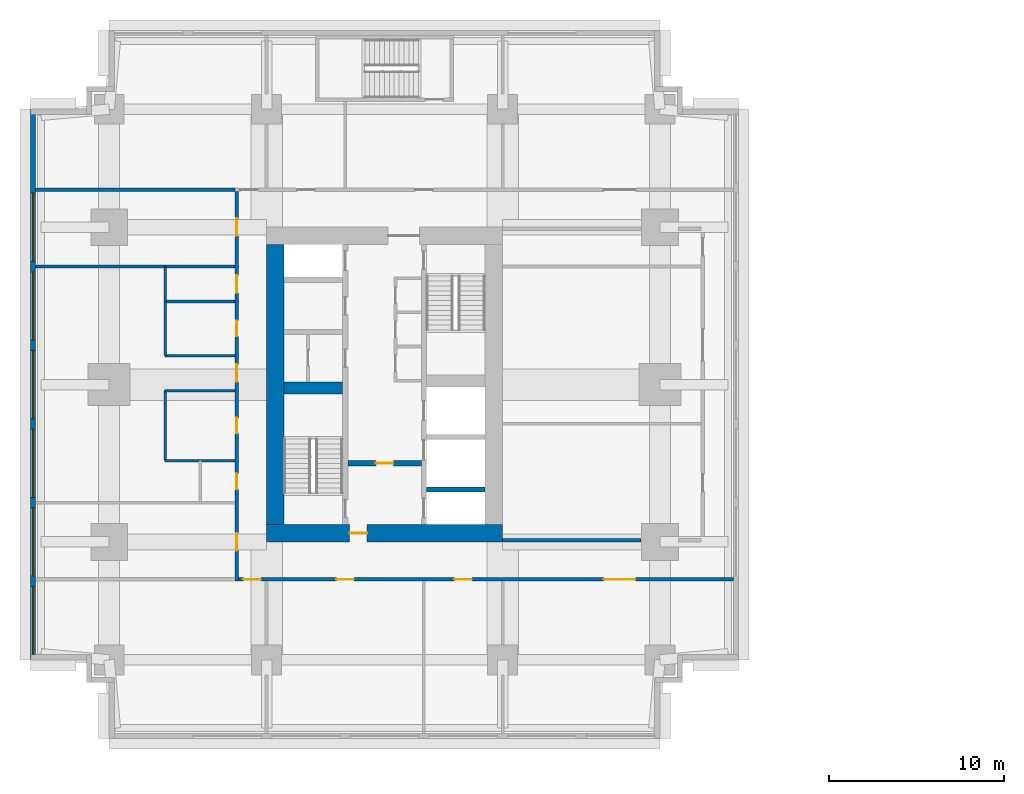
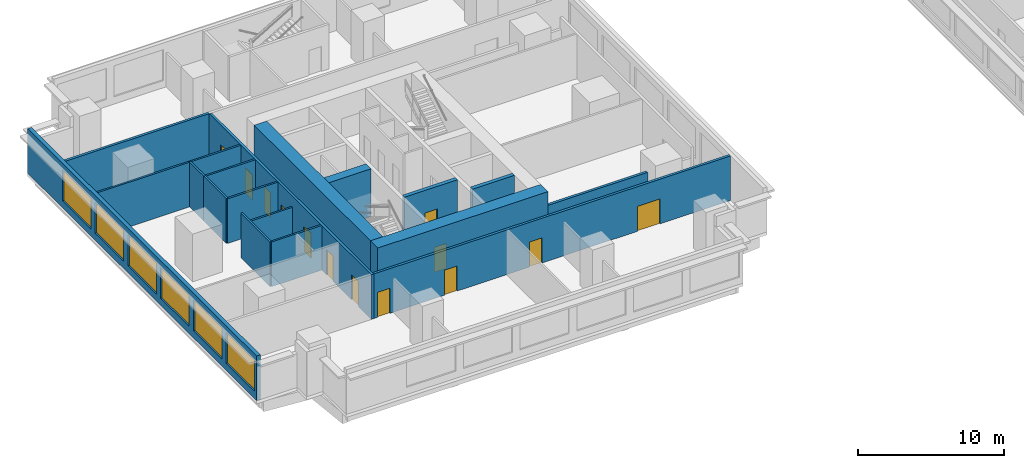
# One storey, part 3 of 10: 18 walls, 13 doors, 6 windows, 19 openings.
"""IFC4 building model written with IfcOpenShell, lengths in metres."""

from ifc_helpers import new_model, si_unit, direction, frame, frame_2d, origin, place, context, subcontext, project, spatial, rectangle, extrude, material, layer, layer_set, type_object, element, fill, save


model = new_model("IFC4")

# Units and contexts
model_context = context("Model", 3, precision=1e-05, world=origin(), true_north=direction((0.0, 1.0)))
body_context = subcontext(model_context, "Body", "Model", "MODEL_VIEW")
ifc_project = project(units=[si_unit("LENGTHUNIT", "METRE"), si_unit("AREAUNIT", "SQUARE_METRE"), si_unit("VOLUMEUNIT", "CUBIC_METRE"), si_unit("PLANEANGLEUNIT", "RADIAN"), si_unit("MASSUNIT", "GRAM", prefix="KILO")], contexts=[model_context])

# Site, building, storey
site_placement = place(None, origin())
site = spatial("IfcSite", under=ifc_project, at=site_placement, CompositionType="ELEMENT")
building_placement = place(site_placement, origin())
building = spatial("IfcBuilding", under=site, at=building_placement, Name="Namib Vertical Campus", CompositionType="ELEMENT")
storey_placement = place(building_placement, frame((0.0, 0.0, 141.0)))
storey = spatial("IfcBuildingStorey", under=building, at=storey_placement, Name="L33", CompositionType="ELEMENT", Elevation=141.0)

# Wall, opening, door
ifc_material_1 = material(Name="Concrete C60/75", Category="concrete")
ifc_layer_1 = layer(ifc_material_1, 0.300048828125)
ifc_layer_set_1 = layer_set([ifc_layer_1], Name="Concrete C60/75")
wall_type_1 = type_object("IfcWallType", Name="Core inner wall 300", PredefinedType="SHEAR", material=ifc_layer_set_1)
wall_1_placement = place(storey_placement, frame((18.14990234375, 15.75, 0.0), z_axis=(0.0, 0.0, 1.0), x_axis=(1.0, 0.0, 0.0)))
wall_1 = element("IfcWall", 1, at=wall_1_placement, inside=storey, type_object=wall_type_1, Name="Core inner wall A L33 W4", PredefinedType="SHEAR", context=body_context, shape_type="SweptSolid", body=[
    extrude(rectangle(XDim=4.2001953125, YDim=0.300048828125, at=frame_2d((2.10009765625, 0.0))), origin(), (0.0, 0.0, 1.0), 4.0),
])
opening_1_placement = place(wall_1_placement, frame((1.60009765625, 0.0, 0.0)))
opening_1 = element("IfcOpeningElement", 2, at=opening_1_placement, cuts=wall_1, Name="Opening FD5", PredefinedType="OPENING", context=body_context, shape_type="SweptSolid", body=[
    extrude(rectangle(XDim=1.0, YDim=2.10009765625, at=frame_2d((0.5, 1.050048828125))), frame((0.0, 0.159912109375, 0.0), z_axis=(0.0, -1.0, 0.0), x_axis=(1.0, 0.0, 0.0)), (0.0, 0.0, 1.0), 0.320068359375),
])
ifc_material_2 = material(Name="Steel fire door", Category="steel")
door_type_1 = type_object("IfcDoorType", Name="Fire door 1000x2100 120 min", OperationType="SINGLE_SWING_RIGHT", PredefinedType="DOOR", material=ifc_material_2)
door_1_placement = place(opening_1_placement, frame((1.0, 0.0, 0.0), z_axis=(0.0, 0.0, 1.0), x_axis=(-1.0, 0.0, 0.0)))
door_1 = element("IfcDoor", 3, at=door_1_placement, inside=storey, type_object=door_type_1, Name="Lobby door FD5 A L33", OperationType="SINGLE_SWING_RIGHT", OverallHeight=2.10009765625, OverallWidth=1.0, PredefinedType="DOOR", context=body_context, shape_type="SweptSolid", body=[
    extrude(rectangle(XDim=1.0, YDim=2.10009765625, at=frame_2d((0.5, 1.050048828125))), frame((0.0, 0.02490234375, 0.0), z_axis=(0.0, -1.0, 0.0), x_axis=(1.0, 0.0, 0.0)), (0.0, 0.0, 1.0), 0.050048828125),
])
fill(opening_1, door_1)

# Walls
wall_2_placement = place(storey_placement, frame((22.64990234375, 14.25, 0.0), z_axis=(0.0, 0.0, 1.0), x_axis=(1.0, 0.0, 0.0)))
element("IfcWall", 4, at=wall_2_placement, inside=storey, type_object=wall_type_1, Name="Core inner wall A L33 W5", PredefinedType="SHEAR", context=body_context, shape_type="SweptSolid", body=[
    extrude(rectangle(XDim=3.35009765625, YDim=0.300048828125, at=frame_2d((1.675048828125, 0.0))), origin(), (0.0, 0.0, 1.0), 4.0),
])
ifc_material_3 = material(Name="Concrete C60/75", Category="concrete")
ifc_layer_2 = layer(ifc_material_3, 0.699951171875)
ifc_layer_set_2 = layer_set([ifc_layer_2], Name="Concrete C60/75")
wall_type_2 = type_object("IfcWallType", Name="Core shear wall 700", PredefinedType="SHEAR", material=ifc_layer_set_2)
wall_3_placement = place(storey_placement, frame((14.5, 20.050048828125, 0.0), z_axis=(0.0, 0.0, 1.0), x_axis=(1.0, 0.0, 0.0)))
element("IfcWall", 5, at=wall_3_placement, inside=storey, type_object=wall_type_2, Name="Core shear wall A L33 W3", PredefinedType="SHEAR", context=body_context, shape_type="SweptSolid", body=[
    extrude(rectangle(XDim=3.35009765625, YDim=0.699951171875, at=frame_2d((1.675048828125, 0.0))), origin(), (0.0, 0.0, 1.0), 4.0),
])

# Wall, opening, door
ifc_material_4 = material(Name="Concrete C60/75", Category="concrete")
ifc_layer_3 = layer(ifc_material_4, 1.0)
ifc_layer_set_3 = layer_set([ifc_layer_3], Name="Concrete C60/75")
wall_type_3 = type_object("IfcWallType", Name="Core wall 1000", PredefinedType="SHEAR", material=ifc_layer_set_3)
wall_4_placement = place(storey_placement, frame((13.5, 11.75, 0.0), z_axis=(0.0, 0.0, 1.0), x_axis=(1.0, 0.0, 0.0)))
wall_4 = element("IfcWall", 6, at=wall_4_placement, inside=storey, type_object=wall_type_3, Name="Core wall A L33 1", PredefinedType="SHEAR", context=body_context, shape_type="SweptSolid", body=[
    extrude(rectangle(XDim=13.5, YDim=1.0, at=frame_2d((6.75, 0.0))), origin(), (0.0, 0.0, 1.0), 4.0),
])
opening_2_placement = place(wall_4_placement, frame((4.75, 0.0, 0.0)))
opening_2 = element("IfcOpeningElement", 7, at=opening_2_placement, cuts=wall_4, Name="Opening FD5", PredefinedType="OPENING", context=body_context, shape_type="SweptSolid", body=[
    extrude(rectangle(XDim=1.0, YDim=2.10009765625, at=frame_2d((0.5, 1.050048828125))), frame((0.0, 0.510009765625, 0.0), z_axis=(0.0, -1.0, 0.0), x_axis=(1.0, 0.0, 0.0)), (0.0, 0.0, 1.0), 1.02001953125),
])
door_2_placement = place(opening_2_placement, origin())
door_2 = element("IfcDoor", 8, at=door_2_placement, inside=storey, type_object=door_type_1, Name="Firefighting lobby door FD5 A L33", OperationType="SINGLE_SWING_LEFT", OverallHeight=2.10009765625, OverallWidth=1.0, PredefinedType="DOOR", context=body_context, shape_type="SweptSolid", body=[
    extrude(rectangle(XDim=1.0, YDim=2.10009765625, at=frame_2d((0.5, 1.050048828125))), frame((0.0, 0.02490234375, 0.0), z_axis=(0.0, -1.0, 0.0), x_axis=(1.0, 0.0, 0.0)), (0.0, 0.0, 1.0), 0.050048828125),
])
fill(opening_2, door_2)

# Wall
wall_5_placement = place(storey_placement, frame((14.0, 28.25, 0.0), z_axis=(0.0, 0.0, 1.0), x_axis=(0.0, -1.0, 0.0)))
element("IfcWall", 9, at=wall_5_placement, inside=storey, type_object=wall_type_3, Name="Core wall A L33 4", PredefinedType="SHEAR", context=body_context, shape_type="SweptSolid", body=[
    extrude(rectangle(XDim=16.0, YDim=1.0, at=frame_2d((8.0, 0.0))), origin(), (0.0, 0.0, 1.0), 4.0),
])

# Wall, openings, doors
ifc_material_5 = material(Name="Concrete masonry", Category="masonry")
ifc_layer_4 = layer(ifc_material_5, 0.199951171875)
ifc_layer_set_4 = layer_set([ifc_layer_4], Name="Corridor wall 200")
wall_type_4 = type_object("IfcWallType", Name="Corridor wall 200", PredefinedType="SOLIDWALL", material=ifc_layer_set_4)
wall_6_placement = place(storey_placement, frame((11.89990234375, 9.10009765625, 0.0), z_axis=(0.0, 0.0, 1.0), x_axis=(1.0, 0.0, 0.0)))
wall_6 = element("IfcWall", 10, at=wall_6_placement, inside=storey, type_object=wall_type_4, Name="Corridor wall A L33 CS", PredefinedType="SOLIDWALL", context=body_context, shape_type="SweptSolid", body=[
    extrude(rectangle(XDim=28.300048828125, YDim=0.199951171875, at=frame_2d((14.14990234375, 0.0))), origin(), (0.0, 0.0, 1.0), 3.75),
])
opening_3_placement = place(wall_6_placement, frame((0.27490234375, 0.0, 0.0)))
opening_3 = element("IfcOpeningElement", 11, at=opening_3_placement, cuts=wall_6, Name="Opening CD1", PredefinedType="OPENING", context=body_context, shape_type="SweptSolid", body=[
    extrude(rectangle(XDim=1.0, YDim=2.10009765625, at=frame_2d((0.5, 1.050048828125))), frame((0.0, 0.10986328125, 0.0), z_axis=(0.0, -1.0, 0.0), x_axis=(1.0, 0.0, 0.0)), (0.0, 0.0, 1.0), 0.219970703125),
])
opening_4_placement = place(wall_6_placement, frame((5.60009765625, 0.0, 0.0)))
opening_4 = element("IfcOpeningElement", 12, at=opening_4_placement, cuts=wall_6, Name="Opening CD1", PredefinedType="OPENING", context=body_context, shape_type="SweptSolid", body=[
    extrude(rectangle(XDim=1.0, YDim=2.10009765625, at=frame_2d((0.5, 1.050048828125))), frame((0.0, 0.10986328125, 0.0), z_axis=(0.0, -1.0, 0.0), x_axis=(1.0, 0.0, 0.0)), (0.0, 0.0, 1.0), 0.219970703125),
])
opening_5_placement = place(wall_6_placement, frame((12.35009765625, 0.0, 0.0)))
opening_5 = element("IfcOpeningElement", 13, at=opening_5_placement, cuts=wall_6, Name="Opening CD1", PredefinedType="OPENING", context=body_context, shape_type="SweptSolid", body=[
    extrude(rectangle(XDim=1.0, YDim=2.10009765625, at=frame_2d((0.5, 1.050048828125))), frame((0.0, 0.10986328125, 0.0), z_axis=(0.0, -1.0, 0.0), x_axis=(1.0, 0.0, 0.0)), (0.0, 0.0, 1.0), 0.219970703125),
])
opening_6_placement = place(wall_6_placement, frame((20.89990234375, 0.0, 0.0)))
opening_6 = element("IfcOpeningElement", 14, at=opening_6_placement, cuts=wall_6, Name="Opening CD2", PredefinedType="OPENING", context=body_context, shape_type="SweptSolid", body=[
    extrude(rectangle(XDim=1.800048828125, YDim=2.10009765625, at=frame_2d((0.89990234375, 1.050048828125))), frame((0.0, 0.10986328125, 0.0), z_axis=(0.0, -1.0, 0.0), x_axis=(1.0, 0.0, 0.0)), (0.0, 0.0, 1.0), 0.219970703125),
])
ifc_material_6 = material(Name="Timber fire door leaf", Category="wood")
door_type_2 = type_object("IfcDoorType", Name="Corridor door 1000x2100 20 min", OperationType="SINGLE_SWING_LEFT", PredefinedType="DOOR", material=ifc_material_6)
door_3_placement = place(opening_3_placement, frame((1.0, 0.0, 0.0), z_axis=(0.0, 0.0, 1.0), x_axis=(-1.0, 0.0, 0.0)))
door_3 = element("IfcDoor", 15, at=door_3_placement, inside=storey, type_object=door_type_2, Name="Door CD1 A33-01", OperationType="SINGLE_SWING_LEFT", OverallHeight=2.10009765625, OverallWidth=1.0, PredefinedType="DOOR", context=body_context, shape_type="SweptSolid", body=[
    extrude(rectangle(XDim=1.0, YDim=2.10009765625, at=frame_2d((0.5, 1.050048828125))), frame((0.0, 0.02490234375, 0.0), z_axis=(0.0, -1.0, 0.0), x_axis=(1.0, 0.0, 0.0)), (0.0, 0.0, 1.0), 0.050048828125),
])
fill(opening_3, door_3)
door_4_placement = place(opening_4_placement, frame((1.0, 0.0, 0.0), z_axis=(0.0, 0.0, 1.0), x_axis=(-1.0, 0.0, 0.0)))
door_4 = element("IfcDoor", 16, at=door_4_placement, inside=storey, type_object=door_type_2, Name="Door CD1 A33-02", OperationType="SINGLE_SWING_RIGHT", OverallHeight=2.10009765625, OverallWidth=1.0, PredefinedType="DOOR", context=body_context, shape_type="SweptSolid", body=[
    extrude(rectangle(XDim=1.0, YDim=2.10009765625, at=frame_2d((0.5, 1.050048828125))), frame((0.0, 0.02490234375, 0.0), z_axis=(0.0, -1.0, 0.0), x_axis=(1.0, 0.0, 0.0)), (0.0, 0.0, 1.0), 0.050048828125),
])
fill(opening_4, door_4)
door_5_placement = place(opening_5_placement, frame((1.0, 0.0, 0.0), z_axis=(0.0, 0.0, 1.0), x_axis=(-1.0, 0.0, 0.0)))
door_5 = element("IfcDoor", 17, at=door_5_placement, inside=storey, type_object=door_type_2, Name="Door CD1 A33-03", OperationType="SINGLE_SWING_RIGHT", OverallHeight=2.10009765625, OverallWidth=1.0, PredefinedType="DOOR", context=body_context, shape_type="SweptSolid", body=[
    extrude(rectangle(XDim=1.0, YDim=2.10009765625, at=frame_2d((0.5, 1.050048828125))), frame((0.0, 0.02490234375, 0.0), z_axis=(0.0, -1.0, 0.0), x_axis=(1.0, 0.0, 0.0)), (0.0, 0.0, 1.0), 0.050048828125),
])
fill(opening_5, door_5)
ifc_material_7 = material(Name="Timber fire door leaf", Category="wood")
door_type_3 = type_object("IfcDoorType", Name="Corridor door double 1800x2100 20 min", OperationType="DOUBLE_DOOR_SINGLE_SWING", PredefinedType="DOOR", material=ifc_material_7)
door_6_placement = place(opening_6_placement, frame((1.800048828125, 0.0, 0.0), z_axis=(0.0, 0.0, 1.0), x_axis=(-1.0, 0.0, 0.0)))
door_6 = element("IfcDoor", 18, at=door_6_placement, inside=storey, type_object=door_type_3, Name="Door CD2 A33-04", OperationType="DOUBLE_DOOR_SINGLE_SWING", OverallHeight=2.10009765625, OverallWidth=1.800048828125, PredefinedType="DOOR", context=body_context, shape_type="SweptSolid", body=[
    extrude(rectangle(XDim=1.800048828125, YDim=2.10009765625, at=frame_2d((0.89990234375, 1.050048828125))), frame((0.0, 0.02490234375, 0.0), z_axis=(0.0, -1.0, 0.0), x_axis=(1.0, 0.0, 0.0)), (0.0, 0.0, 1.0), 0.050048828125),
])
fill(opening_6, door_6)

wall_7_placement = place(storey_placement, frame((11.800048828125, 31.300048828125, 0.0), z_axis=(0.0, 0.0, 1.0), x_axis=(0.0, -1.0, 0.0)))
wall_7 = element("IfcWall", 19, at=wall_7_placement, inside=storey, type_object=wall_type_4, Name="Corridor wall A L33 CW", PredefinedType="SOLIDWALL", context=body_context, shape_type="SweptSolid", body=[
    extrude(rectangle(XDim=22.300048828125, YDim=0.199951171875, at=frame_2d((11.14990234375, 0.0))), origin(), (0.0, 0.0, 1.0), 3.75),
])
opening_7_placement = place(wall_7_placement, frame((19.550048828125, 0.0, 0.0)))
opening_7 = element("IfcOpeningElement", 20, at=opening_7_placement, cuts=wall_7, Name="Opening CD1", PredefinedType="OPENING", context=body_context, shape_type="SweptSolid", body=[
    extrude(rectangle(XDim=1.0, YDim=2.10009765625, at=frame_2d((0.5, 1.050048828125))), frame((0.0, 0.10986328125, 0.0), z_axis=(0.0, -1.0, 0.0), x_axis=(1.0, 0.0, 0.0)), (0.0, 0.0, 1.0), 0.219970703125),
])
opening_8_placement = place(wall_7_placement, frame((16.14990234375, 0.0, 0.0)))
opening_8 = element("IfcOpeningElement", 21, at=opening_8_placement, cuts=wall_7, Name="Opening CD3", PredefinedType="OPENING", context=body_context, shape_type="SweptSolid", body=[
    extrude(rectangle(XDim=0.89990234375, YDim=2.10009765625, at=frame_2d((0.449951171875, 1.050048828125))), frame((0.0, 0.10986328125, 0.0), z_axis=(0.0, -1.0, 0.0), x_axis=(1.0, 0.0, 0.0)), (0.0, 0.0, 1.0), 0.219970703125),
])
opening_9_placement = place(wall_7_placement, frame((12.949951171875, 0.0, 0.0)))
opening_9 = element("IfcOpeningElement", 22, at=opening_9_placement, cuts=wall_7, Name="Opening CD3", PredefinedType="OPENING", context=body_context, shape_type="SweptSolid", body=[
    extrude(rectangle(XDim=0.89990234375, YDim=2.10009765625, at=frame_2d((0.449951171875, 1.050048828125))), frame((0.0, 0.10986328125, 0.0), z_axis=(0.0, -1.0, 0.0), x_axis=(1.0, 0.0, 0.0)), (0.0, 0.0, 1.0), 0.219970703125),
])
opening_10_placement = place(wall_7_placement, frame((7.39990234375, 0.0, 0.0)))
opening_10 = element("IfcOpeningElement", 23, at=opening_10_placement, cuts=wall_7, Name="Opening CD3", PredefinedType="OPENING", context=body_context, shape_type="SweptSolid", body=[
    extrude(rectangle(XDim=0.89990234375, YDim=2.10009765625, at=frame_2d((0.449951171875, 1.050048828125))), frame((0.0, 0.10986328125, 0.0), z_axis=(0.0, -1.0, 0.0), x_axis=(1.0, 0.0, 0.0)), (0.0, 0.0, 1.0), 0.219970703125),
])
opening_11_placement = place(wall_7_placement, frame((4.800048828125, 0.0, 0.0)))
opening_11 = element("IfcOpeningElement", 24, at=opening_11_placement, cuts=wall_7, Name="Opening CD1", PredefinedType="OPENING", context=body_context, shape_type="SweptSolid", body=[
    extrude(rectangle(XDim=1.0, YDim=2.10009765625, at=frame_2d((0.5, 1.050048828125))), frame((0.0, 0.10986328125, 0.0), z_axis=(0.0, -1.0, 0.0), x_axis=(1.0, 0.0, 0.0)), (0.0, 0.0, 1.0), 0.219970703125),
])
opening_12_placement = place(wall_7_placement, frame((9.89990234375, 0.0, 0.0)))
opening_12 = element("IfcOpeningElement", 25, at=opening_12_placement, cuts=wall_7, Name="Opening CD1", PredefinedType="OPENING", context=body_context, shape_type="SweptSolid", body=[
    extrude(rectangle(XDim=1.0, YDim=2.10009765625, at=frame_2d((0.5, 1.050048828125))), frame((0.0, 0.10986328125, 0.0), z_axis=(0.0, -1.0, 0.0), x_axis=(1.0, 0.0, 0.0)), (0.0, 0.0, 1.0), 0.219970703125),
])
opening_13_placement = place(wall_7_placement, frame((1.550048828125, 0.0, 0.0)))
opening_13 = element("IfcOpeningElement", 26, at=opening_13_placement, cuts=wall_7, Name="Opening CD1", PredefinedType="OPENING", context=body_context, shape_type="SweptSolid", body=[
    extrude(rectangle(XDim=1.0, YDim=2.10009765625, at=frame_2d((0.5, 1.050048828125))), frame((0.0, 0.10986328125, 0.0), z_axis=(0.0, -1.0, 0.0), x_axis=(1.0, 0.0, 0.0)), (0.0, 0.0, 1.0), 0.219970703125),
])
door_7_placement = place(opening_7_placement, frame((1.0, 0.0, 0.0), z_axis=(0.0, 0.0, 1.0), x_axis=(-1.0, 0.0, 0.0)))
door_7 = element("IfcDoor", 27, at=door_7_placement, inside=storey, type_object=door_type_2, Name="Door CD1 A33-12", OperationType="SINGLE_SWING_RIGHT", OverallHeight=2.10009765625, OverallWidth=1.0, PredefinedType="DOOR", context=body_context, shape_type="SweptSolid", body=[
    extrude(rectangle(XDim=1.0, YDim=2.10009765625, at=frame_2d((0.5, 1.050048828125))), frame((0.0, 0.02490234375, 0.0), z_axis=(0.0, -1.0, 0.0), x_axis=(1.0, 0.0, 0.0)), (0.0, 0.0, 1.0), 0.050048828125),
])
fill(opening_7, door_7)
door_8_placement = place(opening_11_placement, frame((1.0, 0.0, 0.0), z_axis=(0.0, 0.0, 1.0), x_axis=(-1.0, 0.0, 0.0)))
door_8 = element("IfcDoor", 28, at=door_8_placement, inside=storey, type_object=door_type_2, Name="Door CD1 A33-16", OperationType="SINGLE_SWING_RIGHT", OverallHeight=2.10009765625, OverallWidth=1.0, PredefinedType="DOOR", context=body_context, shape_type="SweptSolid", body=[
    extrude(rectangle(XDim=1.0, YDim=2.10009765625, at=frame_2d((0.5, 1.050048828125))), frame((0.0, 0.02490234375, 0.0), z_axis=(0.0, -1.0, 0.0), x_axis=(1.0, 0.0, 0.0)), (0.0, 0.0, 1.0), 0.050048828125),
])
fill(opening_11, door_8)
door_9_placement = place(opening_12_placement, frame((1.0, 0.0, 0.0), z_axis=(0.0, 0.0, 1.0), x_axis=(-1.0, 0.0, 0.0)))
door_9 = element("IfcDoor", 29, at=door_9_placement, inside=storey, type_object=door_type_2, Name="Door CD1 A33-17", OperationType="SINGLE_SWING_RIGHT", OverallHeight=2.10009765625, OverallWidth=1.0, PredefinedType="DOOR", context=body_context, shape_type="SweptSolid", body=[
    extrude(rectangle(XDim=1.0, YDim=2.10009765625, at=frame_2d((0.5, 1.050048828125))), frame((0.0, 0.02490234375, 0.0), z_axis=(0.0, -1.0, 0.0), x_axis=(1.0, 0.0, 0.0)), (0.0, 0.0, 1.0), 0.050048828125),
])
fill(opening_12, door_9)
door_10_placement = place(opening_13_placement, frame((1.0, 0.0, 0.0), z_axis=(0.0, 0.0, 1.0), x_axis=(-1.0, 0.0, 0.0)))
door_10 = element("IfcDoor", 30, at=door_10_placement, inside=storey, type_object=door_type_2, Name="Door CD1 A33-18", OperationType="SINGLE_SWING_RIGHT", OverallHeight=2.10009765625, OverallWidth=1.0, PredefinedType="DOOR", context=body_context, shape_type="SweptSolid", body=[
    extrude(rectangle(XDim=1.0, YDim=2.10009765625, at=frame_2d((0.5, 1.050048828125))), frame((0.0, 0.02490234375, 0.0), z_axis=(0.0, -1.0, 0.0), x_axis=(1.0, 0.0, 0.0)), (0.0, 0.0, 1.0), 0.050048828125),
])
fill(opening_13, door_10)
ifc_material_8 = material(Name="Timber fire door leaf", Category="wood")
door_type_4 = type_object("IfcDoorType", Name="Corridor toilet door 900x2100 20 min", OperationType="SINGLE_SWING_LEFT", PredefinedType="DOOR", material=ifc_material_8)
door_11_placement = place(opening_8_placement, frame((0.89990234375, 0.0, 0.0), z_axis=(0.0, 0.0, 1.0), x_axis=(-1.0, 0.0, 0.0)))
door_11 = element("IfcDoor", 31, at=door_11_placement, inside=storey, type_object=door_type_4, Name="Door CD3 A33-13", OperationType="SINGLE_SWING_RIGHT", OverallHeight=2.10009765625, OverallWidth=0.89990234375, PredefinedType="DOOR", context=body_context, shape_type="SweptSolid", body=[
    extrude(rectangle(XDim=0.89990234375, YDim=2.10009765625, at=frame_2d((0.449951171875, 1.050048828125))), frame((0.0, 0.02490234375, 0.0), z_axis=(0.0, -1.0, 0.0), x_axis=(1.0, 0.0, 0.0)), (0.0, 0.0, 1.0), 0.050048828125),
])
fill(opening_8, door_11)
door_12_placement = place(opening_9_placement, frame((0.89990234375, 0.0, 0.0), z_axis=(0.0, 0.0, 1.0), x_axis=(-1.0, 0.0, 0.0)))
door_12 = element("IfcDoor", 32, at=door_12_placement, inside=storey, type_object=door_type_4, Name="Door CD3 A33-14", OperationType="SINGLE_SWING_RIGHT", OverallHeight=2.10009765625, OverallWidth=0.89990234375, PredefinedType="DOOR", context=body_context, shape_type="SweptSolid", body=[
    extrude(rectangle(XDim=0.89990234375, YDim=2.10009765625, at=frame_2d((0.449951171875, 1.050048828125))), frame((0.0, 0.02490234375, 0.0), z_axis=(0.0, -1.0, 0.0), x_axis=(1.0, 0.0, 0.0)), (0.0, 0.0, 1.0), 0.050048828125),
])
fill(opening_9, door_12)
door_13_placement = place(opening_10_placement, frame((0.89990234375, 0.0, 0.0), z_axis=(0.0, 0.0, 1.0), x_axis=(-1.0, 0.0, 0.0)))
door_13 = element("IfcDoor", 33, at=door_13_placement, inside=storey, type_object=door_type_4, Name="Door CD3 A33-15", OperationType="SINGLE_SWING_RIGHT", OverallHeight=2.10009765625, OverallWidth=0.89990234375, PredefinedType="DOOR", context=body_context, shape_type="SweptSolid", body=[
    extrude(rectangle(XDim=0.89990234375, YDim=2.10009765625, at=frame_2d((0.449951171875, 1.050048828125))), frame((0.0, 0.02490234375, 0.0), z_axis=(0.0, -1.0, 0.0), x_axis=(1.0, 0.0, 0.0)), (0.0, 0.0, 1.0), 0.050048828125),
])
fill(opening_10, door_13)

# Walls
wall_8_placement = place(storey_placement, frame((27.0, 11.35009765625, 0.0), z_axis=(0.0, 0.0, 1.0), x_axis=(1.0, 0.0, 0.0)))
element("IfcWall", 34, at=wall_8_placement, inside=storey, type_object=wall_type_4, Name="Corridor wall A L33 GS", PredefinedType="SOLIDWALL", context=body_context, shape_type="SweptSolid", body=[
    extrude(rectangle(XDim=7.929931640625, YDim=0.199951171875, at=frame_2d((3.96484375, 0.0))), origin(), (0.0, 0.0, 1.0), 2.85009765625),
])
wall_9_placement = place(storey_placement, frame((0.300048828125, 31.39990234375, 0.0), z_axis=(0.0, 0.0, 1.0), x_axis=(1.0, 0.0, 0.0)))
element("IfcWall", 35, at=wall_9_placement, inside=storey, type_object=wall_type_4, Name="Partition A L33 BNW", PredefinedType="SOLIDWALL", context=body_context, shape_type="SweptSolid", body=[
    extrude(rectangle(XDim=11.39990234375, YDim=0.199951171875, at=frame_2d((5.699951171875, 0.0))), origin(), (0.0, 0.0, 1.0), 3.75),
])

# Wall, openings, windows
ifc_material_9 = material(Name="Concrete C40/50", Category="concrete")
ifc_layer_5 = layer(ifc_material_9, 0.300048828125)
ifc_layer_set_5 = layer_set([ifc_layer_5], Name="Concrete C40/50")
wall_type_5 = type_object("IfcWallType", Name="External wall 300 board-marked concrete", PredefinedType="STANDARD", material=ifc_layer_set_5)
wall_10_placement = place(storey_placement, frame((0.14990234375, 35.97998046875, 0.0), z_axis=(0.0, 0.0, 1.0), x_axis=(0.0, -1.0, 0.0)))
wall_10 = element("IfcWall", 36, at=wall_10_placement, inside=storey, type_object=wall_type_5, Name="External wall L33 F16", PredefinedType="STANDARD", context=body_context, shape_type="SweptSolid", body=[
    extrude(rectangle(XDim=31.4599609375, YDim=0.300048828125, at=frame_2d((15.72998046875, 0.0))), origin(), (0.0, 0.0, 1.0), 3.75),
])
opening_14_placement = place(wall_10_placement, frame((27.280029296875, 0.0, 0.60009765625)))
opening_14 = element("IfcOpeningElement", 37, at=opening_14_placement, cuts=wall_10, Name="Opening W2", PredefinedType="OPENING", context=body_context, shape_type="SweptSolid", body=[
    extrude(rectangle(XDim=3.89990234375, YDim=2.60009765625, at=frame_2d((1.949951171875, 1.300048828125))), frame((0.0, 0.159912109375, 0.0), z_axis=(0.0, -1.0, 0.0), x_axis=(1.0, 0.0, 0.0)), (0.0, 0.0, 1.0), 0.320068359375),
])
opening_15_placement = place(wall_10_placement, frame((22.780029296875, 0.0, 0.60009765625)))
opening_15 = element("IfcOpeningElement", 38, at=opening_15_placement, cuts=wall_10, Name="Opening W2", PredefinedType="OPENING", context=body_context, shape_type="SweptSolid", body=[
    extrude(rectangle(XDim=3.89990234375, YDim=2.60009765625, at=frame_2d((1.949951171875, 1.300048828125))), frame((0.0, 0.159912109375, 0.0), z_axis=(0.0, -1.0, 0.0), x_axis=(1.0, 0.0, 0.0)), (0.0, 0.0, 1.0), 0.320068359375),
])
opening_16_placement = place(wall_10_placement, frame((18.280029296875, 0.0, 0.60009765625)))
opening_16 = element("IfcOpeningElement", 39, at=opening_16_placement, cuts=wall_10, Name="Opening W2", PredefinedType="OPENING", context=body_context, shape_type="SweptSolid", body=[
    extrude(rectangle(XDim=3.89990234375, YDim=2.60009765625, at=frame_2d((1.949951171875, 1.300048828125))), frame((0.0, 0.159912109375, 0.0), z_axis=(0.0, -1.0, 0.0), x_axis=(1.0, 0.0, 0.0)), (0.0, 0.0, 1.0), 0.320068359375),
])
opening_17_placement = place(wall_10_placement, frame((13.780029296875, 0.0, 0.60009765625)))
opening_17 = element("IfcOpeningElement", 40, at=opening_17_placement, cuts=wall_10, Name="Opening W2", PredefinedType="OPENING", context=body_context, shape_type="SweptSolid", body=[
    extrude(rectangle(XDim=3.89990234375, YDim=2.60009765625, at=frame_2d((1.949951171875, 1.300048828125))), frame((0.0, 0.159912109375, 0.0), z_axis=(0.0, -1.0, 0.0), x_axis=(1.0, 0.0, 0.0)), (0.0, 0.0, 1.0), 0.320068359375),
])
opening_18_placement = place(wall_10_placement, frame((9.280029296875, 0.0, 0.60009765625)))
opening_18 = element("IfcOpeningElement", 41, at=opening_18_placement, cuts=wall_10, Name="Opening W2", PredefinedType="OPENING", context=body_context, shape_type="SweptSolid", body=[
    extrude(rectangle(XDim=3.89990234375, YDim=2.60009765625, at=frame_2d((1.949951171875, 1.300048828125))), frame((0.0, 0.159912109375, 0.0), z_axis=(0.0, -1.0, 0.0), x_axis=(1.0, 0.0, 0.0)), (0.0, 0.0, 1.0), 0.320068359375),
])
opening_19_placement = place(wall_10_placement, frame((4.780029296875, 0.0, 0.60009765625)))
opening_19 = element("IfcOpeningElement", 42, at=opening_19_placement, cuts=wall_10, Name="Opening W2", PredefinedType="OPENING", context=body_context, shape_type="SweptSolid", body=[
    extrude(rectangle(XDim=3.89990234375, YDim=2.60009765625, at=frame_2d((1.949951171875, 1.300048828125))), frame((0.0, 0.159912109375, 0.0), z_axis=(0.0, -1.0, 0.0), x_axis=(1.0, 0.0, 0.0)), (0.0, 0.0, 1.0), 0.320068359375),
])
ifc_material_10 = material(Name="Dark tinted glass in black aluminium frame", Category="aluminium")
window_type = type_object("IfcWindowType", Name="Ribbon window 3900x2600", PartitioningType="SINGLE_PANEL", PredefinedType="WINDOW", material=ifc_material_10)
window_1_placement = place(opening_14_placement, origin())
window_1 = element("IfcWindow", 43, at=window_1_placement, inside=storey, type_object=window_type, Name="Window W2 L33 F16-1", OverallHeight=2.60009765625, OverallWidth=3.89990234375, PartitioningType="SINGLE_PANEL", PredefinedType="WINDOW", context=body_context, shape_type="SweptSolid", body=[
    extrude(rectangle(XDim=3.89990234375, YDim=2.60009765625, at=frame_2d((1.949951171875, 1.300048828125))), frame((0.0, 0.030029296875, 0.0), z_axis=(0.0, -1.0, 0.0), x_axis=(1.0, 0.0, 0.0)), (0.0, 0.0, 1.0), 0.06005859375),
])
fill(opening_14, window_1)
window_2_placement = place(opening_15_placement, origin())
window_2 = element("IfcWindow", 44, at=window_2_placement, inside=storey, type_object=window_type, Name="Window W2 L33 F16-2", OverallHeight=2.60009765625, OverallWidth=3.89990234375, PartitioningType="SINGLE_PANEL", PredefinedType="WINDOW", context=body_context, shape_type="SweptSolid", body=[
    extrude(rectangle(XDim=3.89990234375, YDim=2.60009765625, at=frame_2d((1.949951171875, 1.300048828125))), frame((0.0, 0.030029296875, 0.0), z_axis=(0.0, -1.0, 0.0), x_axis=(1.0, 0.0, 0.0)), (0.0, 0.0, 1.0), 0.06005859375),
])
fill(opening_15, window_2)
window_3_placement = place(opening_16_placement, origin())
window_3 = element("IfcWindow", 45, at=window_3_placement, inside=storey, type_object=window_type, Name="Window W2 L33 F16-3", OverallHeight=2.60009765625, OverallWidth=3.89990234375, PartitioningType="SINGLE_PANEL", PredefinedType="WINDOW", context=body_context, shape_type="SweptSolid", body=[
    extrude(rectangle(XDim=3.89990234375, YDim=2.60009765625, at=frame_2d((1.949951171875, 1.300048828125))), frame((0.0, 0.030029296875, 0.0), z_axis=(0.0, -1.0, 0.0), x_axis=(1.0, 0.0, 0.0)), (0.0, 0.0, 1.0), 0.06005859375),
])
fill(opening_16, window_3)
window_4_placement = place(opening_17_placement, origin())
window_4 = element("IfcWindow", 46, at=window_4_placement, inside=storey, type_object=window_type, Name="Window W2 L33 F16-4", OverallHeight=2.60009765625, OverallWidth=3.89990234375, PartitioningType="SINGLE_PANEL", PredefinedType="WINDOW", context=body_context, shape_type="SweptSolid", body=[
    extrude(rectangle(XDim=3.89990234375, YDim=2.60009765625, at=frame_2d((1.949951171875, 1.300048828125))), frame((0.0, 0.030029296875, 0.0), z_axis=(0.0, -1.0, 0.0), x_axis=(1.0, 0.0, 0.0)), (0.0, 0.0, 1.0), 0.06005859375),
])
fill(opening_17, window_4)
window_5_placement = place(opening_18_placement, origin())
window_5 = element("IfcWindow", 47, at=window_5_placement, inside=storey, type_object=window_type, Name="Window W2 L33 F16-5", OverallHeight=2.60009765625, OverallWidth=3.89990234375, PartitioningType="SINGLE_PANEL", PredefinedType="WINDOW", context=body_context, shape_type="SweptSolid", body=[
    extrude(rectangle(XDim=3.89990234375, YDim=2.60009765625, at=frame_2d((1.949951171875, 1.300048828125))), frame((0.0, 0.030029296875, 0.0), z_axis=(0.0, -1.0, 0.0), x_axis=(1.0, 0.0, 0.0)), (0.0, 0.0, 1.0), 0.06005859375),
])
fill(opening_18, window_5)
window_6_placement = place(opening_19_placement, origin())
window_6 = element("IfcWindow", 48, at=window_6_placement, inside=storey, type_object=window_type, Name="Window W2 L33 F16-6", OverallHeight=2.60009765625, OverallWidth=3.89990234375, PartitioningType="SINGLE_PANEL", PredefinedType="WINDOW", context=body_context, shape_type="SweptSolid", body=[
    extrude(rectangle(XDim=3.89990234375, YDim=2.60009765625, at=frame_2d((1.949951171875, 1.300048828125))), frame((0.0, 0.030029296875, 0.0), z_axis=(0.0, -1.0, 0.0), x_axis=(1.0, 0.0, 0.0)), (0.0, 0.0, 1.0), 0.06005859375),
])
fill(opening_19, window_6)

# Walls
ifc_material_11 = material(Name="Gypsum board on steel studs", Category="steel")
ifc_layer_6 = layer(ifc_material_11, 0.14990234375)
ifc_layer_set_6 = layer_set([ifc_layer_6], Name="Gypsum board on steel studs")
wall_type_6 = type_object("IfcWallType", Name="Partition 150", PredefinedType="PARTITIONING", material=ifc_layer_set_6)
wall_11_placement = place(storey_placement, frame((0.300048828125, 27.0, 0.0), z_axis=(0.0, 0.0, 1.0), x_axis=(1.0, 0.0, 0.0)))
element("IfcWall", 49, at=wall_11_placement, inside=storey, type_object=wall_type_6, Name="Partition A L33 PW2", PredefinedType="PARTITIONING", context=body_context, shape_type="SweptSolid", body=[
    extrude(rectangle(XDim=11.39990234375, YDim=0.14990234375, at=frame_2d((5.699951171875, 0.0))), origin(), (0.0, 0.0, 1.0), 3.75),
])
wall_12_placement = place(storey_placement, frame((11.699951171875, 15.89990234375, 0.0), z_axis=(0.0, 0.0, 1.0), x_axis=(-1.0, 0.0, 0.0)))
element("IfcWall", 50, at=wall_12_placement, inside=storey, type_object=wall_type_6, Name="Partition A L33 WR1", PredefinedType="PARTITIONING", context=body_context, shape_type="SweptSolid", body=[
    extrude(rectangle(XDim=4.0, YDim=0.14990234375, at=frame_2d((2.0, 0.0))), origin(), (0.0, 0.0, 1.0), 3.75),
])
wall_13_placement = place(storey_placement, frame((11.699951171875, 19.89990234375, 0.0), z_axis=(0.0, 0.0, 1.0), x_axis=(-1.0, 0.0, 0.0)))
element("IfcWall", 51, at=wall_13_placement, inside=storey, type_object=wall_type_6, Name="Partition A L33 WR2", PredefinedType="PARTITIONING", context=body_context, shape_type="SweptSolid", body=[
    extrude(rectangle(XDim=4.0, YDim=0.14990234375, at=frame_2d((2.0, 0.0))), origin(), (0.0, 0.0, 1.0), 2.85009765625),
])
for number, where, z_axis, x_axis, name in (
    (52, (11.699951171875, 21.89990234375, 0.0), (0.0, 0.0, 1.0), (-1.0, 0.0, 0.0), "Partition A L33 WR3"),
    (53, (11.699951171875, 25.0, 0.0), (0.0, 0.0, 1.0), (-1.0, 0.0, 0.0), "Partition A L33 WR4"),
    (54, (7.699951171875, 15.89990234375, 0.0), (0.0, 0.0, 1.0), (0.0, 1.0, 0.0), "Partition A L33 WB2"),
):
    element("IfcWall", number, at=place(storey_placement, frame(where, z_axis=z_axis, x_axis=x_axis)), inside=storey, type_object=wall_type_6, Name=name, PredefinedType="PARTITIONING", context=body_context, shape_type="SweptSolid", body=[
        extrude(rectangle(XDim=4.0, YDim=0.14990234375, at=frame_2d((2.0, 0.0))), origin(), (0.0, 0.0, 1.0), 3.75),
    ])
wall_14_placement = place(storey_placement, frame((7.699951171875, 21.89990234375, 0.0), z_axis=(0.0, 0.0, 1.0), x_axis=(0.0, 1.0, 0.0)))
element("IfcWall", 55, at=wall_14_placement, inside=storey, type_object=wall_type_6, Name="Partition A L33 WB3", PredefinedType="PARTITIONING", context=body_context, shape_type="SweptSolid", body=[
    extrude(rectangle(XDim=3.10009765625, YDim=0.14990234375, at=frame_2d((1.550048828125, 0.0))), origin(), (0.0, 0.0, 1.0), 3.75),
])
wall_15_placement = place(storey_placement, frame((7.699951171875, 25.0, 0.0), z_axis=(0.0, 0.0, 1.0), x_axis=(0.0, 1.0, 0.0)))
element("IfcWall", 56, at=wall_15_placement, inside=storey, type_object=wall_type_6, Name="Partition A L33 WB4", PredefinedType="PARTITIONING", context=body_context, shape_type="SweptSolid", body=[
    extrude(rectangle(XDim=2.0, YDim=0.14990234375, at=frame_2d((1.0, 0.0))), origin(), (0.0, 0.0, 1.0), 3.75),
])

save(model, "model.ifc")
